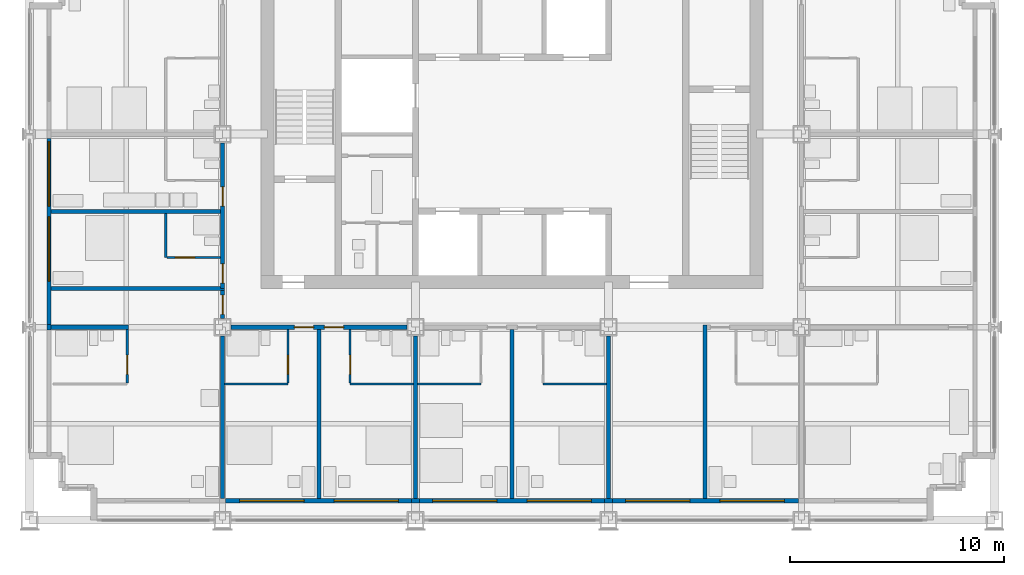
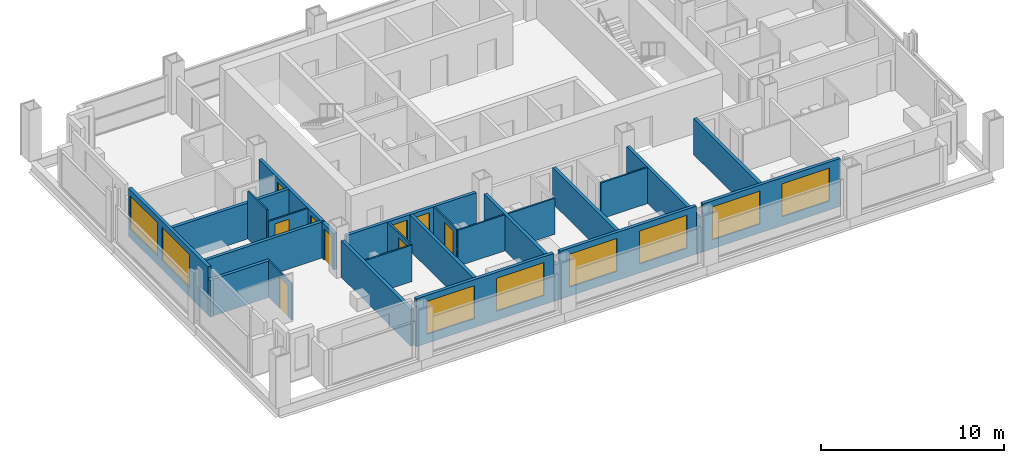
# One storey, part 7 of 14: 28 walls, 9 doors, 8 windows, 17 openings.
"""IFC4 building model written with IfcOpenShell, lengths in metres."""

from ifc_helpers import new_model, si_unit, direction, frame, frame_2d, origin, place, context, subcontext, project, spatial, rectangle, extrude, material, layer, layer_set, type_object, element, fill, save


model = new_model("IFC4")

# Units and contexts
model_context = context("Model", 3, precision=1e-05, world=origin(), true_north=direction((0.0, 1.0)))
body_context = subcontext(model_context, "Body", "Model", "MODEL_VIEW")
ifc_project = project(units=[si_unit("LENGTHUNIT", "METRE"), si_unit("AREAUNIT", "SQUARE_METRE"), si_unit("VOLUMEUNIT", "CUBIC_METRE"), si_unit("PLANEANGLEUNIT", "RADIAN"), si_unit("MASSUNIT", "GRAM", prefix="KILO")], contexts=[model_context])

# Site, building, storey
site_placement = place(None, origin())
site = spatial("IfcSite", under=ifc_project, at=site_placement, CompositionType="ELEMENT")
building_placement = place(site_placement, origin())
building = spatial("IfcBuilding", under=site, at=building_placement, Name="Loomwork Tower", CompositionType="ELEMENT")
storey_placement = place(building_placement, frame((0.0, 0.0, 167.199951171875)))
storey = spatial("IfcBuildingStorey", under=building, at=storey_placement, Name="L45", CompositionType="ELEMENT", Elevation=167.199951171875)

# Wall
ifc_material_1 = material(Name="Gypsum board on steel studs, one-hour", Category="steel")
ifc_layer_1 = layer(ifc_material_1, 0.199951171875)
ifc_layer_set_1 = layer_set([ifc_layer_1], Name="Corridor wall 200")
wall_type_1 = type_object("IfcWallType", Name="Corridor wall 200", PredefinedType="PARTITIONING", material=ifc_layer_set_1)
wall_1_placement = place(storey_placement, frame((1.0, 9.0, 0.0), z_axis=(0.0, 0.0, 1.0), x_axis=(1.0, 0.0, 0.0)))
element("IfcWall", 1, at=wall_1_placement, inside=storey, type_object=wall_type_1, Name="South corridor wall 1", PredefinedType="PARTITIONING", context=body_context, shape_type="SweptSolid", body=[
    extrude(rectangle(XDim=3.60009765625, YDim=0.199951171875, at=frame_2d((1.800048828125, 0.0))), origin(), (0.0, 0.0, 1.0), 2.43798828125),
])

# Wall, openings, doors
wall_2_placement = place(storey_placement, frame((9.39990234375, 9.0, 0.0), z_axis=(0.0, 0.0, 1.0), x_axis=(1.0, 0.0, 0.0)))
wall_2 = element("IfcWall", 2, at=wall_2_placement, inside=storey, type_object=wall_type_1, Name="South corridor wall 2", PredefinedType="PARTITIONING", context=body_context, shape_type="SweptSolid", body=[
    extrude(rectangle(XDim=8.2001953125, YDim=0.199951171875, at=frame_2d((4.10009765625, 0.0))), origin(), (0.0, 0.0, 1.0), 2.405029296875),
])
opening_1_placement = place(wall_2_placement, frame((2.949951171875, 0.0, 0.0)))
opening_1 = element("IfcOpeningElement", 3, at=opening_1_placement, cuts=wall_2, Name="Opening D1", PredefinedType="OPENING", context=body_context, shape_type="SweptSolid", body=[
    extrude(rectangle(XDim=0.89990234375, YDim=2.10009765625, at=frame_2d((0.449951171875, 1.050048828125))), frame((0.0, 0.10986328125, 0.0), z_axis=(0.0, -1.0, 0.0), x_axis=(1.0, 0.0, 0.0)), (0.0, 0.0, 1.0), 0.219970703125),
])
opening_2_placement = place(wall_2_placement, frame((4.35009765625, 0.0, 0.0)))
opening_2 = element("IfcOpeningElement", 4, at=opening_2_placement, cuts=wall_2, Name="Opening D1", PredefinedType="OPENING", context=body_context, shape_type="SweptSolid", body=[
    extrude(rectangle(XDim=0.89990234375, YDim=2.10009765625, at=frame_2d((0.449951171875, 1.050048828125))), frame((0.0, 0.10986328125, 0.0), z_axis=(0.0, -1.0, 0.0), x_axis=(1.0, 0.0, 0.0)), (0.0, 0.0, 1.0), 0.219970703125),
])
ifc_material_2 = material(Name="Hollow metal door and frame")
door_type_1 = type_object("IfcDoorType", Name="Guest room entry door 900", OperationType="SINGLE_SWING_LEFT", PredefinedType="DOOR", material=ifc_material_2)
door_1_placement = place(opening_1_placement, frame((0.89990234375, 0.0, 0.0), z_axis=(0.0, 0.0, 1.0), x_axis=(-1.0, 0.0, 0.0)))
door_1 = element("IfcDoor", 5, at=door_1_placement, inside=storey, type_object=door_type_1, Name="Guest room entry door L45 2", OperationType="SINGLE_SWING_LEFT", OverallHeight=2.10009765625, OverallWidth=0.89990234375, PredefinedType="DOOR", context=body_context, shape_type="SweptSolid", body=[
    extrude(rectangle(XDim=0.89990234375, YDim=2.10009765625, at=frame_2d((0.449951171875, 1.050048828125))), frame((0.0, 0.02490234375, 0.0), z_axis=(0.0, -1.0, 0.0), x_axis=(1.0, 0.0, 0.0)), (0.0, 0.0, 1.0), 0.050048828125),
])
fill(opening_1, door_1)
door_2_placement = place(opening_2_placement, frame((0.89990234375, 0.0, 0.0), z_axis=(0.0, 0.0, 1.0), x_axis=(-1.0, 0.0, 0.0)))
door_2 = element("IfcDoor", 6, at=door_2_placement, inside=storey, type_object=door_type_1, Name="Guest room entry door L45 3", OperationType="SINGLE_SWING_RIGHT", OverallHeight=2.10009765625, OverallWidth=0.89990234375, PredefinedType="DOOR", context=body_context, shape_type="SweptSolid", body=[
    extrude(rectangle(XDim=0.89990234375, YDim=2.10009765625, at=frame_2d((0.449951171875, 1.050048828125))), frame((0.0, 0.02490234375, 0.0), z_axis=(0.0, -1.0, 0.0), x_axis=(1.0, 0.0, 0.0)), (0.0, 0.0, 1.0), 0.050048828125),
])
fill(opening_2, door_2)

wall_3_placement = place(storey_placement, frame((9.0, 10.800048828125, 0.0), z_axis=(0.0, 0.0, 1.0), x_axis=(0.0, 1.0, 0.0)))
wall_3 = element("IfcWall", 7, at=wall_3_placement, inside=storey, type_object=wall_type_1, Name="West corridor wall 1", PredefinedType="PARTITIONING", context=body_context, shape_type="SweptSolid", body=[
    extrude(rectangle(XDim=6.800048828125, YDim=0.199951171875, at=frame_2d((3.39990234375, 0.0))), origin(), (0.0, 0.0, 1.0), 2.405029296875),
])
opening_3_placement = place(wall_3_placement, frame((0.25, 0.0, 0.0)))
opening_3 = element("IfcOpeningElement", 8, at=opening_3_placement, cuts=wall_3, Name="Opening D1", PredefinedType="OPENING", context=body_context, shape_type="SweptSolid", body=[
    extrude(rectangle(XDim=0.89990234375, YDim=2.10009765625, at=frame_2d((0.449951171875, 1.050048828125))), frame((0.0, 0.10986328125, 0.0), z_axis=(0.0, -1.0, 0.0), x_axis=(1.0, 0.0, 0.0)), (0.0, 0.0, 1.0), 0.219970703125),
])
opening_4_placement = place(wall_3_placement, frame((3.85009765625, 0.0, 0.0)))
opening_4 = element("IfcOpeningElement", 9, at=opening_4_placement, cuts=wall_3, Name="Opening D1", PredefinedType="OPENING", context=body_context, shape_type="SweptSolid", body=[
    extrude(rectangle(XDim=0.89990234375, YDim=2.10009765625, at=frame_2d((0.449951171875, 1.050048828125))), frame((0.0, 0.10986328125, 0.0), z_axis=(0.0, -1.0, 0.0), x_axis=(1.0, 0.0, 0.0)), (0.0, 0.0, 1.0), 0.219970703125),
])
door_3_placement = place(opening_3_placement, origin())
door_3 = element("IfcDoor", 10, at=door_3_placement, inside=storey, type_object=door_type_1, Name="Guest room entry door L45 8", OperationType="SINGLE_SWING_LEFT", OverallHeight=2.10009765625, OverallWidth=0.89990234375, PredefinedType="DOOR", context=body_context, shape_type="SweptSolid", body=[
    extrude(rectangle(XDim=0.89990234375, YDim=2.10009765625, at=frame_2d((0.449951171875, 1.050048828125))), frame((0.0, 0.02490234375, 0.0), z_axis=(0.0, -1.0, 0.0), x_axis=(1.0, 0.0, 0.0)), (0.0, 0.0, 1.0), 0.050048828125),
])
fill(opening_3, door_3)
door_4_placement = place(opening_4_placement, origin())
door_4 = element("IfcDoor", 11, at=door_4_placement, inside=storey, type_object=door_type_1, Name="Guest room entry door L45 9", OperationType="SINGLE_SWING_LEFT", OverallHeight=2.10009765625, OverallWidth=0.89990234375, PredefinedType="DOOR", context=body_context, shape_type="SweptSolid", body=[
    extrude(rectangle(XDim=0.89990234375, YDim=2.10009765625, at=frame_2d((0.449951171875, 1.050048828125))), frame((0.0, 0.02490234375, 0.0), z_axis=(0.0, -1.0, 0.0), x_axis=(1.0, 0.0, 0.0)), (0.0, 0.0, 1.0), 0.050048828125),
])
fill(opening_4, door_4)

# Wall
wall_4_placement = place(storey_placement, frame((1.0, 10.800048828125, 0.0), z_axis=(0.0, 0.0, 1.0), x_axis=(1.0, 0.0, 0.0)))
element("IfcWall", 12, at=wall_4_placement, inside=storey, type_object=wall_type_1, Name="West band end wall S", PredefinedType="PARTITIONING", context=body_context, shape_type="SweptSolid", body=[
    extrude(rectangle(XDim=8.10009765625, YDim=0.199951171875, at=frame_2d((4.050048828125, 0.0))), origin(), (0.0, 0.0, 1.0), 2.404052734375),
])

# Wall, opening, door
wall_5_placement = place(storey_placement, frame((9.0, 9.39990234375, 0.0), z_axis=(0.0, 0.0, 1.0), x_axis=(0.0, 1.0, 0.0)))
wall_5 = element("IfcWall", 13, at=wall_5_placement, inside=storey, type_object=wall_type_1, Name="Corner suite foyer wall", PredefinedType="PARTITIONING", context=body_context, shape_type="SweptSolid", body=[
    extrude(rectangle(XDim=1.300048828125, YDim=0.199951171875, at=frame_2d((0.64990234375, 0.0))), origin(), (0.0, 0.0, 1.0), 2.405029296875),
])
opening_5_placement = place(wall_5_placement, frame((0.199951171875, 0.0, 0.0)))
opening_5 = element("IfcOpeningElement", 14, at=opening_5_placement, cuts=wall_5, Name="Opening D1", PredefinedType="OPENING", context=body_context, shape_type="SweptSolid", body=[
    extrude(rectangle(XDim=0.89990234375, YDim=2.10009765625, at=frame_2d((0.449951171875, 1.050048828125))), frame((0.0, 0.10986328125, 0.0), z_axis=(0.0, -1.0, 0.0), x_axis=(1.0, 0.0, 0.0)), (0.0, 0.0, 1.0), 0.219970703125),
])
door_5_placement = place(opening_5_placement, origin())
door_5 = element("IfcDoor", 15, at=door_5_placement, inside=storey, type_object=door_type_1, Name="Guest room entry door L45 1", OperationType="SINGLE_SWING_RIGHT", OverallHeight=2.10009765625, OverallWidth=0.89990234375, PredefinedType="DOOR", context=body_context, shape_type="SweptSolid", body=[
    extrude(rectangle(XDim=0.89990234375, YDim=2.10009765625, at=frame_2d((0.449951171875, 1.050048828125))), frame((0.0, 0.02490234375, 0.0), z_axis=(0.0, -1.0, 0.0), x_axis=(1.0, 0.0, 0.0)), (0.0, 0.0, 1.0), 0.050048828125),
])
fill(opening_5, door_5)

ifc_material_3 = material(Name="Cement board on steel studs", Category="steel")
ifc_layer_2 = layer(ifc_material_3, 0.10009765625)
ifc_layer_set_2 = layer_set([ifc_layer_2], Name="En-suite partition 100")
wall_type_2 = type_object("IfcWallType", Name="En-suite partition 100", PredefinedType="PARTITIONING", material=ifc_layer_set_2)
wall_6_placement = place(storey_placement, frame((4.550048828125, 8.89990234375, 0.0), z_axis=(0.0, 0.0, 1.0), x_axis=(0.0, -1.0, 0.0)))
wall_6 = element("IfcWall", 16, at=wall_6_placement, inside=storey, type_object=wall_type_2, Name="En-suite side wall L45 room 1", PredefinedType="PARTITIONING", context=body_context, shape_type="SweptSolid", body=[
    extrude(rectangle(XDim=2.5, YDim=0.10009765625, at=frame_2d((1.25, 0.0))), origin(), (0.0, 0.0, 1.0), 2.43798828125),
])
opening_6_placement = place(wall_6_placement, frame((1.199951171875, 0.0, 0.0)))
opening_6 = element("IfcOpeningElement", 17, at=opening_6_placement, cuts=wall_6, Name="Opening D3", PredefinedType="OPENING", context=body_context, shape_type="SweptSolid", body=[
    extrude(rectangle(XDim=0.89990234375, YDim=2.10009765625, at=frame_2d((0.449951171875, 1.050048828125))), frame((0.0, 0.06005859375, 0.0), z_axis=(0.0, -1.0, 0.0), x_axis=(1.0, 0.0, 0.0)), (0.0, 0.0, 1.0), 0.1201171875),
])
ifc_material_4 = material(Name="Hollow metal door and frame")
door_type_2 = type_object("IfcDoorType", Name="Accessible en-suite door 900", OperationType="SLIDING_TO_LEFT", PredefinedType="DOOR", material=ifc_material_4)
door_6_placement = place(opening_6_placement, origin())
door_6 = element("IfcDoor", 18, at=door_6_placement, inside=storey, type_object=door_type_2, Name="Accessible en-suite door room 1", OperationType="SLIDING_TO_LEFT", OverallHeight=2.10009765625, OverallWidth=0.89990234375, PredefinedType="DOOR", context=body_context, shape_type="SweptSolid", body=[
    extrude(rectangle(XDim=0.89990234375, YDim=2.10009765625, at=frame_2d((0.449951171875, 1.050048828125))), frame((0.0, 0.02490234375, 0.0), z_axis=(0.0, -1.0, 0.0), x_axis=(1.0, 0.0, 0.0)), (0.0, 0.0, 1.0), 0.050048828125),
])
fill(opening_6, door_6)

# Wall
wall_7_placement = place(storey_placement, frame((9.10009765625, 6.35009765625, 0.0), z_axis=(0.0, 0.0, 1.0), x_axis=(1.0, 0.0, 0.0)))
element("IfcWall", 19, at=wall_7_placement, inside=storey, type_object=wall_type_2, Name="En-suite wall L45 room 2", PredefinedType="PARTITIONING", context=body_context, shape_type="SweptSolid", body=[
    extrude(rectangle(XDim=2.949951171875, YDim=0.10009765625, at=frame_2d((1.47509765625, 0.0))), origin(), (0.0, 0.0, 1.0), 2.43798828125),
])

# Wall, opening, door
wall_8_placement = place(storey_placement, frame((12.050048828125, 8.89990234375, 0.0), z_axis=(0.0, 0.0, 1.0), x_axis=(0.0, -1.0, 0.0)))
wall_8 = element("IfcWall", 20, at=wall_8_placement, inside=storey, type_object=wall_type_2, Name="En-suite side wall L45 room 2", PredefinedType="PARTITIONING", context=body_context, shape_type="SweptSolid", body=[
    extrude(rectangle(XDim=2.5, YDim=0.10009765625, at=frame_2d((1.25, 0.0))), origin(), (0.0, 0.0, 1.0), 2.404052734375),
])
opening_7_placement = place(wall_8_placement, frame((1.199951171875, 0.0, 0.0)))
opening_7 = element("IfcOpeningElement", 21, at=opening_7_placement, cuts=wall_8, Name="Opening D3", PredefinedType="OPENING", context=body_context, shape_type="SweptSolid", body=[
    extrude(rectangle(XDim=0.89990234375, YDim=2.10009765625, at=frame_2d((0.449951171875, 1.050048828125))), frame((0.0, 0.06005859375, 0.0), z_axis=(0.0, -1.0, 0.0), x_axis=(1.0, 0.0, 0.0)), (0.0, 0.0, 1.0), 0.1201171875),
])
door_7_placement = place(opening_7_placement, origin())
door_7 = element("IfcDoor", 22, at=door_7_placement, inside=storey, type_object=door_type_2, Name="Accessible en-suite door room 2", OperationType="SLIDING_TO_LEFT", OverallHeight=2.10009765625, OverallWidth=0.89990234375, PredefinedType="DOOR", context=body_context, shape_type="SweptSolid", body=[
    extrude(rectangle(XDim=0.89990234375, YDim=2.10009765625, at=frame_2d((0.449951171875, 1.050048828125))), frame((0.0, 0.02490234375, 0.0), z_axis=(0.0, -1.0, 0.0), x_axis=(1.0, 0.0, 0.0)), (0.0, 0.0, 1.0), 0.050048828125),
])
fill(opening_7, door_7)

# Wall
wall_9_placement = place(storey_placement, frame((14.949951171875, 6.35009765625, 0.0), z_axis=(0.0, 0.0, 1.0), x_axis=(1.0, 0.0, 0.0)))
element("IfcWall", 23, at=wall_9_placement, inside=storey, type_object=wall_type_2, Name="En-suite wall L45 room 3", PredefinedType="PARTITIONING", context=body_context, shape_type="SweptSolid", body=[
    extrude(rectangle(XDim=2.949951171875, YDim=0.10009765625, at=frame_2d((1.47509765625, 0.0))), origin(), (0.0, 0.0, 1.0), 2.404052734375),
])

# Wall, opening, door
wall_10_placement = place(storey_placement, frame((14.949951171875, 8.89990234375, 0.0), z_axis=(0.0, 0.0, 1.0), x_axis=(0.0, -1.0, 0.0)))
wall_10 = element("IfcWall", 24, at=wall_10_placement, inside=storey, type_object=wall_type_2, Name="En-suite side wall L45 room 3", PredefinedType="PARTITIONING", context=body_context, shape_type="SweptSolid", body=[
    extrude(rectangle(XDim=2.5, YDim=0.10009765625, at=frame_2d((1.25, 0.0))), origin(), (0.0, 0.0, 1.0), 2.404052734375),
])
opening_8_placement = place(wall_10_placement, frame((1.199951171875, 0.0, 0.0)))
opening_8 = element("IfcOpeningElement", 25, at=opening_8_placement, cuts=wall_10, Name="Opening D2", PredefinedType="OPENING", context=body_context, shape_type="SweptSolid", body=[
    extrude(rectangle(XDim=0.89990234375, YDim=2.10009765625, at=frame_2d((0.449951171875, 1.050048828125))), frame((0.0, 0.06005859375, 0.0), z_axis=(0.0, -1.0, 0.0), x_axis=(1.0, 0.0, 0.0)), (0.0, 0.0, 1.0), 0.1201171875),
])
ifc_material_5 = material(Name="Hollow metal door and frame")
door_type_3 = type_object("IfcDoorType", Name="En-suite door 900", OperationType="SINGLE_SWING_LEFT", PredefinedType="DOOR", material=ifc_material_5)
door_8_placement = place(opening_8_placement, origin())
door_8 = element("IfcDoor", 26, at=door_8_placement, inside=storey, type_object=door_type_3, Name="En-suite door room 3", OperationType="SINGLE_SWING_RIGHT", OverallHeight=2.10009765625, OverallWidth=0.89990234375, PredefinedType="DOOR", context=body_context, shape_type="SweptSolid", body=[
    extrude(rectangle(XDim=0.89990234375, YDim=2.10009765625, at=frame_2d((0.449951171875, 1.050048828125))), frame((0.0, 0.02490234375, 0.0), z_axis=(0.0, -1.0, 0.0), x_axis=(1.0, 0.0, 0.0)), (0.0, 0.0, 1.0), 0.050048828125),
])
fill(opening_8, door_8)

# Walls
for number, where, z_axis, x_axis, name in (
    (27, (18.10009765625, 6.35009765625, 0.0), (0.0, 0.0, 1.0), (1.0, 0.0, 0.0), "En-suite wall L45 room 4"),
    (28, (23.949951171875, 6.35009765625, 0.0), (0.0, 0.0, 1.0), (1.0, 0.0, 0.0), "En-suite wall L45 room 5"),
):
    element("IfcWall", number, at=place(storey_placement, frame(where, z_axis=z_axis, x_axis=x_axis)), inside=storey, type_object=wall_type_2, Name=name, PredefinedType="PARTITIONING", context=body_context, shape_type="SweptSolid", body=[
        extrude(rectangle(XDim=2.949951171875, YDim=0.10009765625, at=frame_2d((1.47509765625, 0.0))), origin(), (0.0, 0.0, 1.0), 2.404052734375),
    ])
wall_11_placement = place(storey_placement, frame((6.35009765625, 12.25, 0.0), z_axis=(0.0, 0.0, 1.0), x_axis=(0.0, 1.0, 0.0)))
element("IfcWall", 29, at=wall_11_placement, inside=storey, type_object=wall_type_2, Name="En-suite wall L45 room 8", PredefinedType="PARTITIONING", context=body_context, shape_type="SweptSolid", body=[
    extrude(rectangle(XDim=2.050048828125, YDim=0.10009765625, at=frame_2d((1.02490234375, 0.0))), origin(), (0.0, 0.0, 1.0), 3.199951171875),
])

# Wall, opening, door
wall_12_placement = place(storey_placement, frame((8.89990234375, 12.25, 0.0), z_axis=(0.0, 0.0, 1.0), x_axis=(-1.0, 0.0, 0.0)))
wall_12 = element("IfcWall", 30, at=wall_12_placement, inside=storey, type_object=wall_type_2, Name="En-suite side wall L45 room 8", PredefinedType="PARTITIONING", context=body_context, shape_type="SweptSolid", body=[
    extrude(rectangle(XDim=2.5, YDim=0.10009765625, at=frame_2d((1.25, 0.0))), origin(), (0.0, 0.0, 1.0), 2.404052734375),
])
opening_9_placement = place(wall_12_placement, frame((1.199951171875, 0.0, 0.0)))
opening_9 = element("IfcOpeningElement", 31, at=opening_9_placement, cuts=wall_12, Name="Opening D2", PredefinedType="OPENING", context=body_context, shape_type="SweptSolid", body=[
    extrude(rectangle(XDim=0.89990234375, YDim=2.10009765625, at=frame_2d((0.449951171875, 1.050048828125))), frame((0.0, 0.06005859375, 0.0), z_axis=(0.0, -1.0, 0.0), x_axis=(1.0, 0.0, 0.0)), (0.0, 0.0, 1.0), 0.1201171875),
])
door_9_placement = place(opening_9_placement, frame((0.89990234375, 0.0, 0.0), z_axis=(0.0, 0.0, 1.0), x_axis=(-1.0, 0.0, 0.0)))
door_9 = element("IfcDoor", 32, at=door_9_placement, inside=storey, type_object=door_type_3, Name="En-suite door room 8", OperationType="SINGLE_SWING_LEFT", OverallHeight=2.10009765625, OverallWidth=0.89990234375, PredefinedType="DOOR", context=body_context, shape_type="SweptSolid", body=[
    extrude(rectangle(XDim=0.89990234375, YDim=2.10009765625, at=frame_2d((0.449951171875, 1.050048828125))), frame((0.0, 0.02490234375, 0.0), z_axis=(0.0, -1.0, 0.0), x_axis=(1.0, 0.0, 0.0)), (0.0, 0.0, 1.0), 0.050048828125),
])
fill(opening_9, door_9)

# Walls
ifc_material_6 = material(Name="Gypsum board on steel studs, acoustic", Category="steel")
ifc_layer_3 = layer(ifc_material_6, 0.199951171875)
ifc_layer_set_3 = layer_set([ifc_layer_3], Name="Guest room party wall 200")
wall_type_3 = type_object("IfcWallType", Name="Guest room party wall 200", PredefinedType="PARTITIONING", material=ifc_layer_set_3)
wall_13_placement = place(storey_placement, frame((9.0, 8.60009765625, 0.0), z_axis=(0.0, 0.0, 1.0), x_axis=(0.0, -1.0, 0.0)))
element("IfcWall", 33, at=wall_13_placement, inside=storey, type_object=wall_type_3, Name="Guest room party wall S 9", PredefinedType="PARTITIONING", context=body_context, shape_type="SweptSolid", body=[
    extrude(rectangle(XDim=7.60009765625, YDim=0.199951171875, at=frame_2d((3.800048828125, 0.0))), origin(), (0.0, 0.0, 1.0), 2.43798828125),
])
wall_14_placement = place(storey_placement, frame((13.5, 8.89990234375, 0.0), z_axis=(0.0, 0.0, 1.0), x_axis=(0.0, -1.0, 0.0)))
element("IfcWall", 34, at=wall_14_placement, inside=storey, type_object=wall_type_3, Name="Guest room party wall S 13.5", PredefinedType="PARTITIONING", context=body_context, shape_type="SweptSolid", body=[
    extrude(rectangle(XDim=7.89990234375, YDim=0.199951171875, at=frame_2d((3.949951171875, 0.0))), origin(), (0.0, 0.0, 1.0), 2.404052734375),
])
wall_15_placement = place(storey_placement, frame((18.0, 8.60009765625, 0.0), z_axis=(0.0, 0.0, 1.0), x_axis=(0.0, -1.0, 0.0)))
element("IfcWall", 35, at=wall_15_placement, inside=storey, type_object=wall_type_3, Name="Guest room party wall S 18", PredefinedType="PARTITIONING", context=body_context, shape_type="SweptSolid", body=[
    extrude(rectangle(XDim=7.60009765625, YDim=0.199951171875, at=frame_2d((3.800048828125, 0.0))), origin(), (0.0, 0.0, 1.0), 2.405029296875),
])
wall_16_placement = place(storey_placement, frame((22.5, 8.89990234375, 0.0), z_axis=(0.0, 0.0, 1.0), x_axis=(0.0, -1.0, 0.0)))
element("IfcWall", 36, at=wall_16_placement, inside=storey, type_object=wall_type_3, Name="Guest room party wall S 22.5", PredefinedType="PARTITIONING", context=body_context, shape_type="SweptSolid", body=[
    extrude(rectangle(XDim=7.89990234375, YDim=0.199951171875, at=frame_2d((3.949951171875, 0.0))), origin(), (0.0, 0.0, 1.0), 2.404052734375),
])
wall_17_placement = place(storey_placement, frame((27.0, 8.60009765625, 0.0), z_axis=(0.0, 0.0, 1.0), x_axis=(0.0, -1.0, 0.0)))
element("IfcWall", 37, at=wall_17_placement, inside=storey, type_object=wall_type_3, Name="Guest room party wall S 27", PredefinedType="PARTITIONING", context=body_context, shape_type="SweptSolid", body=[
    extrude(rectangle(XDim=7.60009765625, YDim=0.199951171875, at=frame_2d((3.800048828125, 0.0))), origin(), (0.0, 0.0, 1.0), 2.405029296875),
])
wall_18_placement = place(storey_placement, frame((31.5, 9.10009765625, 0.0), z_axis=(0.0, 0.0, 1.0), x_axis=(0.0, -1.0, 0.0)))
element("IfcWall", 38, at=wall_18_placement, inside=storey, type_object=wall_type_3, Name="Guest room party wall S 31.5", PredefinedType="PARTITIONING", context=body_context, shape_type="SweptSolid", body=[
    extrude(rectangle(XDim=8.10009765625, YDim=0.199951171875, at=frame_2d((4.050048828125, 0.0))), origin(), (0.0, 0.0, 1.0), 2.404052734375),
])
wall_19_placement = place(storey_placement, frame((8.89990234375, 14.39990234375, 0.0), z_axis=(0.0, 0.0, 1.0), x_axis=(-1.0, 0.0, 0.0)))
element("IfcWall", 39, at=wall_19_placement, inside=storey, type_object=wall_type_3, Name="Guest room party wall W 14.4", PredefinedType="PARTITIONING", context=body_context, shape_type="SweptSolid", body=[
    extrude(rectangle(XDim=7.89990234375, YDim=0.199951171875, at=frame_2d((3.949951171875, 0.0))), origin(), (0.0, 0.0, 1.0), 2.404052734375),
])

# Wall, openings, windows
ifc_material_7 = material(Name="Insulated steel stud wall with gypsum lining", Category="steel")
ifc_layer_4 = layer(ifc_material_7, 0.199951171875)
ifc_layer_set_4 = layer_set([ifc_layer_4], Name="Inner skin wall 200")
wall_type_4 = type_object("IfcWallType", Name="Inner skin wall 200", PredefinedType="SOLIDWALL", material=ifc_layer_set_4)
wall_20_placement = place(storey_placement, frame((9.13525390625, 0.89990234375, 0.0), z_axis=(0.0, 0.0, 1.0), x_axis=(1.0, 0.0, 0.0)))
wall_20 = element("IfcWall", 40, at=wall_20_placement, inside=storey, type_object=wall_type_4, Name="Inner skin wall S bay 3", PredefinedType="SOLIDWALL", context=body_context, shape_type="SweptSolid", body=[
    extrude(rectangle(XDim=8.6708984375, YDim=0.199951171875, at=frame_2d((4.33544921875, 0.0))), origin(), (0.0, 0.0, 1.0), 3.199951171875),
])
opening_10_placement = place(wall_20_placement, frame((0.664794921875, 0.0, 0.60009765625)))
opening_10 = element("IfcOpeningElement", 41, at=opening_10_placement, cuts=wall_20, Name="Opening CH1", PredefinedType="OPENING", context=body_context, shape_type="SweptSolid", body=[
    extrude(rectangle(XDim=3.0, YDim=2.199951171875, at=frame_2d((1.5, 1.10009765625))), frame((0.0, 0.10986328125, 0.0), z_axis=(0.0, -1.0, 0.0), x_axis=(1.0, 0.0, 0.0)), (0.0, 0.0, 1.0), 0.219970703125),
])
opening_11_placement = place(wall_20_placement, frame((5.064697265625, 0.0, 0.60009765625)))
opening_11 = element("IfcOpeningElement", 42, at=opening_11_placement, cuts=wall_20, Name="Opening CH1", PredefinedType="OPENING", context=body_context, shape_type="SweptSolid", body=[
    extrude(rectangle(XDim=3.0, YDim=2.199951171875, at=frame_2d((1.5, 1.10009765625))), frame((0.0, 0.10986328125, 0.0), z_axis=(0.0, -1.0, 0.0), x_axis=(1.0, 0.0, 0.0)), (0.0, 0.0, 1.0), 0.219970703125),
])
ifc_material_8 = material(Name="Aluminium frame with clear insulated glass", Category="aluminium")
window_type = type_object("IfcWindowType", Name="Chicago window 3000", PartitioningType="TRIPLE_PANEL_VERTICAL", PredefinedType="WINDOW", material=ifc_material_8)
window_1_placement = place(opening_10_placement, origin())
window_1 = element("IfcWindow", 43, at=window_1_placement, inside=storey, type_object=window_type, Name="Chicago window L45 bay 2", OverallHeight=2.199951171875, OverallWidth=3.0, PartitioningType="TRIPLE_PANEL_VERTICAL", PredefinedType="WINDOW", context=body_context, shape_type="SweptSolid", body=[
    extrude(rectangle(XDim=3.0, YDim=2.199951171875, at=frame_2d((1.5, 1.10009765625))), frame((0.0, 0.030029296875, 0.0), z_axis=(0.0, -1.0, 0.0), x_axis=(1.0, 0.0, 0.0)), (0.0, 0.0, 1.0), 0.06005859375),
])
fill(opening_10, window_1)
window_2_placement = place(opening_11_placement, origin())
window_2 = element("IfcWindow", 44, at=window_2_placement, inside=storey, type_object=window_type, Name="Chicago window L45 bay 2", OverallHeight=2.199951171875, OverallWidth=3.0, PartitioningType="TRIPLE_PANEL_VERTICAL", PredefinedType="WINDOW", context=body_context, shape_type="SweptSolid", body=[
    extrude(rectangle(XDim=3.0, YDim=2.199951171875, at=frame_2d((1.5, 1.10009765625))), frame((0.0, 0.030029296875, 0.0), z_axis=(0.0, -1.0, 0.0), x_axis=(1.0, 0.0, 0.0)), (0.0, 0.0, 1.0), 0.06005859375),
])
fill(opening_11, window_2)

# Wall
wall_21_placement = place(storey_placement, frame((17.80615234375, 0.89990234375, 0.0), z_axis=(0.0, 0.0, 1.0), x_axis=(1.0, 0.0, 0.0)))
element("IfcWall", 45, at=wall_21_placement, inside=storey, type_object=wall_type_4, Name="Inner skin wall S bay 4", PredefinedType="SOLIDWALL", context=body_context, shape_type="SweptSolid", body=[
    extrude(rectangle(XDim=0.3876953125, YDim=0.199951171875, at=frame_2d((0.19384765625, 0.0))), origin(), (0.0, 0.0, 1.0), 2.404052734375),
])

# Wall, openings, windows
wall_22_placement = place(storey_placement, frame((18.19384765625, 0.89990234375, 0.0), z_axis=(0.0, 0.0, 1.0), x_axis=(1.0, 0.0, 0.0)))
wall_22 = element("IfcWall", 46, at=wall_22_placement, inside=storey, type_object=wall_type_4, Name="Inner skin wall S bay 5", PredefinedType="SOLIDWALL", context=body_context, shape_type="SweptSolid", body=[
    extrude(rectangle(XDim=8.6123046875, YDim=0.199951171875, at=frame_2d((4.30615234375, 0.0))), origin(), (0.0, 0.0, 1.0), 3.199951171875),
])
opening_12_placement = place(wall_22_placement, frame((0.606201171875, 0.0, 0.60009765625)))
opening_12 = element("IfcOpeningElement", 47, at=opening_12_placement, cuts=wall_22, Name="Opening CH1", PredefinedType="OPENING", context=body_context, shape_type="SweptSolid", body=[
    extrude(rectangle(XDim=3.0, YDim=2.199951171875, at=frame_2d((1.5, 1.10009765625))), frame((0.0, 0.10986328125, 0.0), z_axis=(0.0, -1.0, 0.0), x_axis=(1.0, 0.0, 0.0)), (0.0, 0.0, 1.0), 0.219970703125),
])
opening_13_placement = place(wall_22_placement, frame((5.006103515625, 0.0, 0.60009765625)))
opening_13 = element("IfcOpeningElement", 48, at=opening_13_placement, cuts=wall_22, Name="Opening CH1", PredefinedType="OPENING", context=body_context, shape_type="SweptSolid", body=[
    extrude(rectangle(XDim=3.0, YDim=2.199951171875, at=frame_2d((1.5, 1.10009765625))), frame((0.0, 0.10986328125, 0.0), z_axis=(0.0, -1.0, 0.0), x_axis=(1.0, 0.0, 0.0)), (0.0, 0.0, 1.0), 0.219970703125),
])
window_3_placement = place(opening_12_placement, origin())
window_3 = element("IfcWindow", 49, at=window_3_placement, inside=storey, type_object=window_type, Name="Chicago window L45 bay 3", OverallHeight=2.199951171875, OverallWidth=3.0, PartitioningType="TRIPLE_PANEL_VERTICAL", PredefinedType="WINDOW", context=body_context, shape_type="SweptSolid", body=[
    extrude(rectangle(XDim=3.0, YDim=2.199951171875, at=frame_2d((1.5, 1.10009765625))), frame((0.0, 0.030029296875, 0.0), z_axis=(0.0, -1.0, 0.0), x_axis=(1.0, 0.0, 0.0)), (0.0, 0.0, 1.0), 0.06005859375),
])
fill(opening_12, window_3)
window_4_placement = place(opening_13_placement, origin())
window_4 = element("IfcWindow", 50, at=window_4_placement, inside=storey, type_object=window_type, Name="Chicago window L45 bay 3", OverallHeight=2.199951171875, OverallWidth=3.0, PartitioningType="TRIPLE_PANEL_VERTICAL", PredefinedType="WINDOW", context=body_context, shape_type="SweptSolid", body=[
    extrude(rectangle(XDim=3.0, YDim=2.199951171875, at=frame_2d((1.5, 1.10009765625))), frame((0.0, 0.030029296875, 0.0), z_axis=(0.0, -1.0, 0.0), x_axis=(1.0, 0.0, 0.0)), (0.0, 0.0, 1.0), 0.06005859375),
])
fill(opening_13, window_4)

# Wall
wall_23_placement = place(storey_placement, frame((26.80615234375, 0.89990234375, 0.0), z_axis=(0.0, 0.0, 1.0), x_axis=(1.0, 0.0, 0.0)))
element("IfcWall", 51, at=wall_23_placement, inside=storey, type_object=wall_type_4, Name="Inner skin wall S bay 6", PredefinedType="SOLIDWALL", context=body_context, shape_type="SweptSolid", body=[
    extrude(rectangle(XDim=0.3876953125, YDim=0.199951171875, at=frame_2d((0.19384765625, 0.0))), origin(), (0.0, 0.0, 1.0), 2.404052734375),
])

# Wall, openings, windows
wall_24_placement = place(storey_placement, frame((27.19384765625, 0.89990234375, 0.0), z_axis=(0.0, 0.0, 1.0), x_axis=(1.0, 0.0, 0.0)))
wall_24 = element("IfcWall", 52, at=wall_24_placement, inside=storey, type_object=wall_type_4, Name="Inner skin wall S bay 7", PredefinedType="SOLIDWALL", context=body_context, shape_type="SweptSolid", body=[
    extrude(rectangle(XDim=8.670654296875, YDim=0.199951171875, at=frame_2d((4.33544921875, 0.0))), origin(), (0.0, 0.0, 1.0), 3.199951171875),
])
opening_14_placement = place(wall_24_placement, frame((0.606201171875, 0.0, 0.60009765625)))
opening_14 = element("IfcOpeningElement", 53, at=opening_14_placement, cuts=wall_24, Name="Opening CH1", PredefinedType="OPENING", context=body_context, shape_type="SweptSolid", body=[
    extrude(rectangle(XDim=3.0, YDim=2.199951171875, at=frame_2d((1.5, 1.10009765625))), frame((0.0, 0.10986328125, 0.0), z_axis=(0.0, -1.0, 0.0), x_axis=(1.0, 0.0, 0.0)), (0.0, 0.0, 1.0), 0.219970703125),
])
opening_15_placement = place(wall_24_placement, frame((5.006103515625, 0.0, 0.60009765625)))
opening_15 = element("IfcOpeningElement", 54, at=opening_15_placement, cuts=wall_24, Name="Opening CH1", PredefinedType="OPENING", context=body_context, shape_type="SweptSolid", body=[
    extrude(rectangle(XDim=3.0, YDim=2.199951171875, at=frame_2d((1.5, 1.10009765625))), frame((0.0, 0.10986328125, 0.0), z_axis=(0.0, -1.0, 0.0), x_axis=(1.0, 0.0, 0.0)), (0.0, 0.0, 1.0), 0.219970703125),
])
window_5_placement = place(opening_14_placement, origin())
window_5 = element("IfcWindow", 55, at=window_5_placement, inside=storey, type_object=window_type, Name="Chicago window L45 bay 4", OverallHeight=2.199951171875, OverallWidth=3.0, PartitioningType="TRIPLE_PANEL_VERTICAL", PredefinedType="WINDOW", context=body_context, shape_type="SweptSolid", body=[
    extrude(rectangle(XDim=3.0, YDim=2.199951171875, at=frame_2d((1.5, 1.10009765625))), frame((0.0, 0.030029296875, 0.0), z_axis=(0.0, -1.0, 0.0), x_axis=(1.0, 0.0, 0.0)), (0.0, 0.0, 1.0), 0.06005859375),
])
fill(opening_14, window_5)
window_6_placement = place(opening_15_placement, origin())
window_6 = element("IfcWindow", 56, at=window_6_placement, inside=storey, type_object=window_type, Name="Chicago window L45 bay 4", OverallHeight=2.199951171875, OverallWidth=3.0, PartitioningType="TRIPLE_PANEL_VERTICAL", PredefinedType="WINDOW", context=body_context, shape_type="SweptSolid", body=[
    extrude(rectangle(XDim=3.0, YDim=2.199951171875, at=frame_2d((1.5, 1.10009765625))), frame((0.0, 0.030029296875, 0.0), z_axis=(0.0, -1.0, 0.0), x_axis=(1.0, 0.0, 0.0)), (0.0, 0.0, 1.0), 0.06005859375),
])
fill(opening_15, window_6)

# Wall
wall_25_placement = place(storey_placement, frame((0.89990234375, 8.86474609375, 0.0), z_axis=(0.0, 0.0, 1.0), x_axis=(0.0, 1.0, 0.0)))
element("IfcWall", 57, at=wall_25_placement, inside=storey, type_object=wall_type_4, Name="Inner skin wall W bay 4", PredefinedType="SOLIDWALL", context=body_context, shape_type="SweptSolid", body=[
    extrude(rectangle(XDim=0.2705078125, YDim=0.199951171875, at=frame_2d((0.13525390625, 0.0))), origin(), (0.0, 0.0, 1.0), 2.43798828125),
])

# Wall, openings, windows
wall_26_placement = place(storey_placement, frame((0.89990234375, 9.13525390625, 0.0), z_axis=(0.0, 0.0, 1.0), x_axis=(0.0, 1.0, 0.0)))
wall_26 = element("IfcWall", 58, at=wall_26_placement, inside=storey, type_object=wall_type_4, Name="Inner skin wall W bay 5", PredefinedType="SOLIDWALL", context=body_context, shape_type="SweptSolid", body=[
    extrude(rectangle(XDim=8.6708984375, YDim=0.199951171875, at=frame_2d((4.33544921875, 0.0))), origin(), (0.0, 0.0, 1.0), 3.199951171875),
])
opening_16_placement = place(wall_26_placement, frame((2.0146484375, 0.0, 0.60009765625)))
opening_16 = element("IfcOpeningElement", 59, at=opening_16_placement, cuts=wall_26, Name="Opening CH1", PredefinedType="OPENING", context=body_context, shape_type="SweptSolid", body=[
    extrude(rectangle(XDim=3.0, YDim=2.199951171875, at=frame_2d((1.5, 1.10009765625))), frame((0.0, 0.10986328125, 0.0), z_axis=(0.0, -1.0, 0.0), x_axis=(1.0, 0.0, 0.0)), (0.0, 0.0, 1.0), 0.219970703125),
])
opening_17_placement = place(wall_26_placement, frame((5.5146484375, 0.0, 0.60009765625)))
opening_17 = element("IfcOpeningElement", 60, at=opening_17_placement, cuts=wall_26, Name="Opening CH1", PredefinedType="OPENING", context=body_context, shape_type="SweptSolid", body=[
    extrude(rectangle(XDim=3.0, YDim=2.199951171875, at=frame_2d((1.5, 1.10009765625))), frame((0.0, 0.10986328125, 0.0), z_axis=(0.0, -1.0, 0.0), x_axis=(1.0, 0.0, 0.0)), (0.0, 0.0, 1.0), 0.219970703125),
])
window_7_placement = place(opening_16_placement, origin())
window_7 = element("IfcWindow", 61, at=window_7_placement, inside=storey, type_object=window_type, Name="Chicago window L45 bay 6", OverallHeight=2.199951171875, OverallWidth=3.0, PartitioningType="TRIPLE_PANEL_VERTICAL", PredefinedType="WINDOW", context=body_context, shape_type="SweptSolid", body=[
    extrude(rectangle(XDim=3.0, YDim=2.199951171875, at=frame_2d((1.5, 1.10009765625))), frame((0.0, 0.030029296875, 0.0), z_axis=(0.0, -1.0, 0.0), x_axis=(1.0, 0.0, 0.0)), (0.0, 0.0, 1.0), 0.06005859375),
])
fill(opening_16, window_7)
window_8_placement = place(opening_17_placement, origin())
window_8 = element("IfcWindow", 62, at=window_8_placement, inside=storey, type_object=window_type, Name="Chicago window L45 bay 6", OverallHeight=2.199951171875, OverallWidth=3.0, PartitioningType="TRIPLE_PANEL_VERTICAL", PredefinedType="WINDOW", context=body_context, shape_type="SweptSolid", body=[
    extrude(rectangle(XDim=3.0, YDim=2.199951171875, at=frame_2d((1.5, 1.10009765625))), frame((0.0, 0.030029296875, 0.0), z_axis=(0.0, -1.0, 0.0), x_axis=(1.0, 0.0, 0.0)), (0.0, 0.0, 1.0), 0.06005859375),
])
fill(opening_17, window_8)

save(model, "model.ifc")
